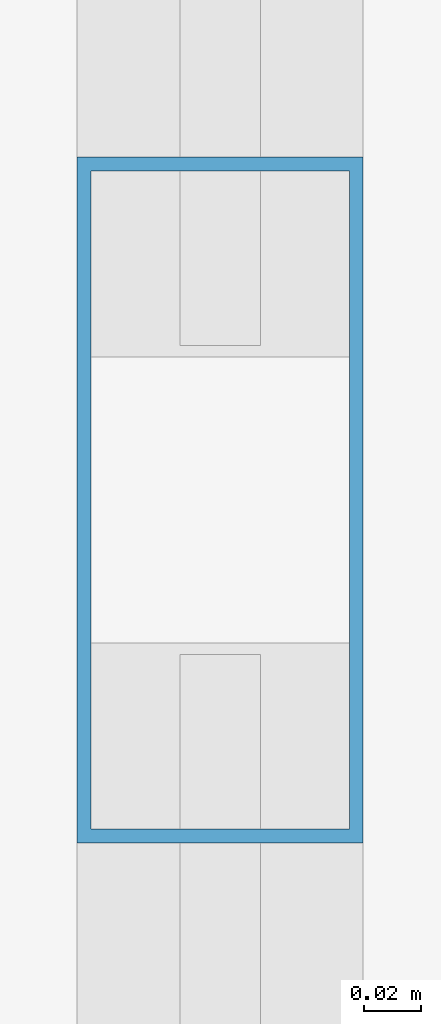
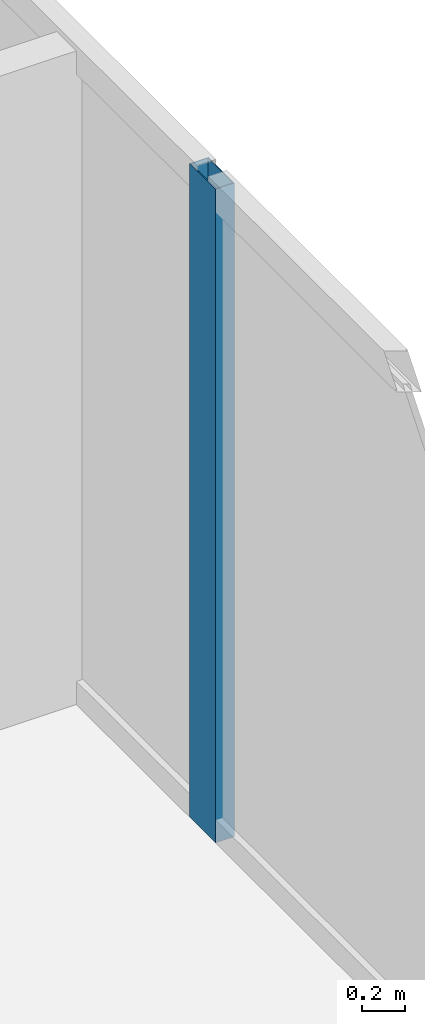
# One storey, part 10 of 25: 1 member, 1 element without a shape of its own.
"""IFC4 building model written with IfcOpenShell, lengths in metres."""

from ifc_helpers import new_model, si_unit, direction, frame, origin, origin_2d, place, context, subcontext, project, spatial, hollow_rectangle, extrude, material, layer, layer_set, material_profile, profile_set, type_object, element, aggregate, save


model = new_model("IFC4")

# Units and contexts
model_context = context("Model", 3, precision=1e-05, world=origin(), true_north=direction((0.0, 1.0)))
body_context = subcontext(model_context, "Body", "Model", "MODEL_VIEW")
ifc_project = project(units=[si_unit("LENGTHUNIT", "METRE"), si_unit("AREAUNIT", "SQUARE_METRE"), si_unit("VOLUMEUNIT", "CUBIC_METRE"), si_unit("PLANEANGLEUNIT", "RADIAN"), si_unit("MASSUNIT", "GRAM", prefix="KILO")], contexts=[model_context])

# Site, building, storey
site_placement = place(None, origin())
site = spatial("IfcSite", under=ifc_project, at=site_placement, CompositionType="ELEMENT")
building_placement = place(site_placement, origin())
building = spatial("IfcBuilding", under=site, at=building_placement, Name="Khorvyn Point Tower", CompositionType="ELEMENT")
storey_placement = place(building_placement, frame((0.0, 0.0, 254.699951171875)))
storey = spatial("IfcBuildingStorey", under=building, at=storey_placement, Name="L62", CompositionType="ELEMENT", Elevation=254.699951171875)

# Curtain wall, member
ifc_material_1 = material(Name="Anodised aluminium 6063-T6 and laminated Low-E glass", Category="aluminium")
ifc_layer = layer(ifc_material_1, 0.18994140625)
ifc_layer_set = layer_set([ifc_layer], Name="Stick-Built High-Wind Curtain Wall CW-SYS-04")
curtain_wall_type = type_object("IfcCurtainWallType", Name="Stick-Built High-Wind Curtain Wall CW-SYS-04", PredefinedType="NOTDEFINED", material=ifc_layer_set)
curtain_wall_placement = place(storey_placement, origin())
curtain_wall = element("IfcCurtainWall", 1, at=curtain_wall_placement, inside=storey, type_object=curtain_wall_type, Name="Curtain Wall", PredefinedType="NOTDEFINED")
ifc_material_2 = material(Name="Anodised aluminium 6063-T6", Category="aluminium")
ifc_material_profile = material_profile(ifc_material_2, hollow_rectangle(XDim=0.10009765625, YDim=0.239990234375, WallThickness=0.0048828125, at=origin_2d()))
ifc_profile_set = profile_set([ifc_material_profile], Name="Anodised aluminium 6063-T6 ALU-MUL-100x240")
member_type = type_object("IfcMemberType", Name="Anodised Aluminium 6063-T6 Mullion ALU-MUL-100x240", PredefinedType="MULLION", material=ifc_profile_set)
member_placement = place(storey_placement, frame((24.75, 0.199951171875, 0.0), z_axis=(0.0, 0.0, 1.0), x_axis=(1.0, 0.0, 0.0)))
member = element("IfcMember", 2, at=member_placement, type_object=member_type, Name="Transom", PredefinedType="MULLION", context=body_context, shape_type="SweptSolid", body=[
    extrude(hollow_rectangle(XDim=0.10009765625, YDim=0.239990234375, WallThickness=0.0048828125, at=origin_2d()), origin(), (0.0, 0.0, 1.0), 3.679931640625),
])
aggregate(curtain_wall, [member])

save(model, "model.ifc")
